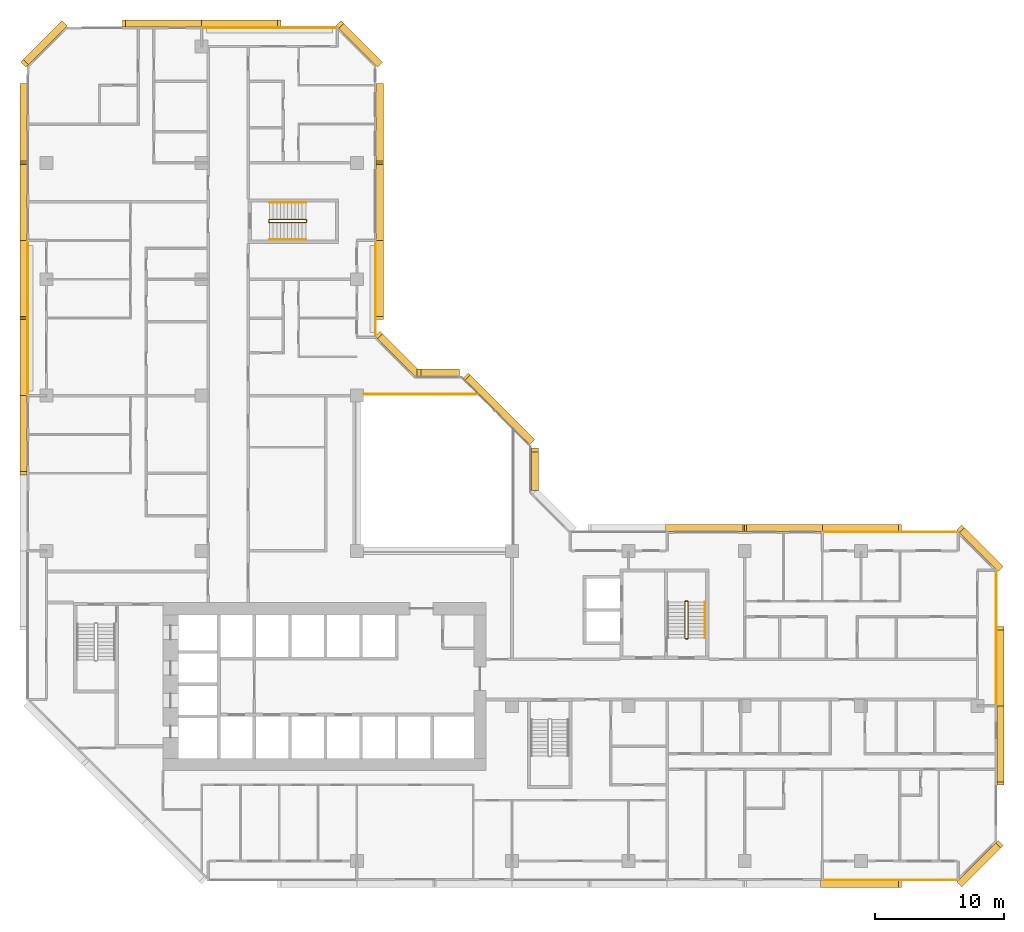
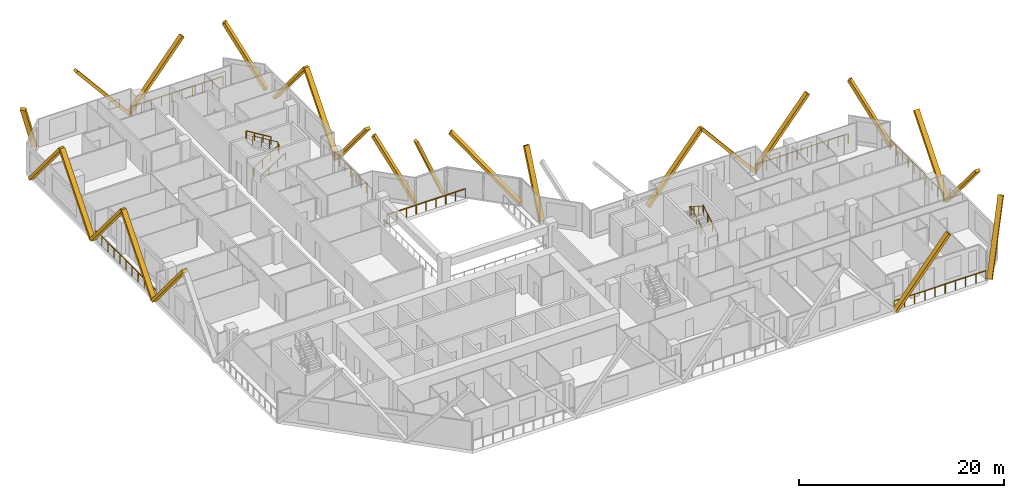
# One storey, part 15 of 15: 24 coverings, 12 railings.
"""IFC4 building model written with IfcOpenShell, lengths in metres."""

from ifc_helpers import new_model, si_unit, direction, frame, origin, origin_2d, place, context, subcontext, project, spatial, rectangle, extrude, material, material_profile, profile_set, type_object, element, save


model = new_model("IFC4")

# Units and contexts
model_context = context("Model", 3, precision=1e-05, world=origin(), true_north=direction((0.0, 1.0)))
body_context = subcontext(model_context, "Body", "Model", "MODEL_VIEW")
ifc_project = project(units=[si_unit("LENGTHUNIT", "METRE"), si_unit("AREAUNIT", "SQUARE_METRE"), si_unit("VOLUMEUNIT", "CUBIC_METRE"), si_unit("PLANEANGLEUNIT", "RADIAN"), si_unit("MASSUNIT", "GRAM", prefix="KILO")], contexts=[model_context])

# Site, building, storey
site_placement = place(None, origin())
site = spatial("IfcSite", under=ifc_project, at=site_placement, CompositionType="ELEMENT")
building_placement = place(site_placement, origin())
building = spatial("IfcBuilding", under=site, at=building_placement, Name="Chenar Terraces", CompositionType="ELEMENT")
storey_placement = place(building_placement, frame((0.0, 0.0, 114.39990234375)))
storey = spatial("IfcBuildingStorey", under=building, at=storey_placement, Name="L26", CompositionType="ELEMENT", Elevation=114.39990234375)

# Railings
ifc_material_1 = material(Name="Powder-coated steel", Category="steel")
railing_type_1 = type_object("IfcRailingType", Name="Guard 1100 steel rail with glass infill", PredefinedType="GUARDRAIL", material=ifc_material_1)
railing_1_placement = place(storey_placement, frame((24.550048828125, 36.10009765625, 0.0)))
element("IfcRailing", 1, at=railing_1_placement, inside=storey, type_object=railing_type_1, Name="Guard L26-2", PredefinedType="GUARDRAIL", context=body_context, shape_type="SweptSolid", body=[
    extrude(rectangle(XDim=0.06005859375, YDim=0.06005859375, at=origin_2d()), frame((0.0, 0.0, 1.070068359375), z_axis=(1.0, 0.0, 0.0), x_axis=(0.0, 1.0, 0.0)), (0.0, 0.0, 1.0), 8.849853515625),
    extrude(rectangle(XDim=0.050048828125, YDim=0.050048828125, at=origin_2d()), origin(), (0.0, 0.0, 1.0), 1.0400390625),
    extrude(rectangle(XDim=0.050048828125, YDim=0.050048828125, at=origin_2d()), frame((1.106201171875, 0.0, 0.0)), (0.0, 0.0, 1.0), 1.0400390625),
    extrude(rectangle(XDim=0.050048828125, YDim=0.050048828125, at=origin_2d()), frame((2.21240234375, 0.0, 0.0)), (0.0, 0.0, 1.0), 1.0400390625),
    extrude(rectangle(XDim=0.050048828125, YDim=0.050048828125, at=origin_2d()), frame((3.318603515625, 0.0, 0.0)), (0.0, 0.0, 1.0), 1.0400390625),
    extrude(rectangle(XDim=0.050048828125, YDim=0.050048828125, at=origin_2d()), frame((4.4248046875, 0.0, 0.0)), (0.0, 0.0, 1.0), 1.0400390625),
    extrude(rectangle(XDim=0.050048828125, YDim=0.050048828125, at=origin_2d()), frame((5.53125, 0.0, 0.0)), (0.0, 0.0, 1.0), 1.0400390625),
    extrude(rectangle(XDim=0.050048828125, YDim=0.050048828125, at=origin_2d()), frame((6.637451171875, 0.0, 0.0)), (0.0, 0.0, 1.0), 1.0400390625),
    extrude(rectangle(XDim=0.050048828125, YDim=0.050048828125, at=origin_2d()), frame((7.74365234375, 0.0, 0.0)), (0.0, 0.0, 1.0), 1.0400390625),
    extrude(rectangle(XDim=0.050048828125, YDim=0.050048828125, at=origin_2d()), frame((8.849853515625, 0.0, 0.0)), (0.0, 0.0, 1.0), 1.0400390625),
])
ifc_material_2 = material(Name="Stainless steel and glass", Category="steel")
railing_type_2 = type_object("IfcRailingType", Name="Loggia guard 1150", PredefinedType="GUARDRAIL", material=ifc_material_2)
railing_2_placement = place(storey_placement, frame((25.449951171875, 40.574951171875, 0.0)))
element("IfcRailing", 2, at=railing_2_placement, inside=storey, type_object=railing_type_2, Name="Loggia guard", PredefinedType="GUARDRAIL", context=body_context, shape_type="SweptSolid", body=[
    extrude(rectangle(XDim=0.048095703125, YDim=0.048095703125, at=origin_2d()), frame((0.0, 0.0, 1.1259765625), z_axis=(0.0, 1.0, 0.0), x_axis=(-1.0, 0.0, 0.0)), (0.0, 0.0, 1.0), 7.35009765625),
    extrude(rectangle(XDim=0.0419921875, YDim=0.0419921875, at=origin_2d()), origin(), (0.0, 0.0, 1.0), 1.101806640625),
    extrude(rectangle(XDim=0.0419921875, YDim=0.0419921875, at=origin_2d()), frame((0.0, 1.050048828125, 0.0)), (0.0, 0.0, 1.0), 1.101806640625),
    extrude(rectangle(XDim=0.0419921875, YDim=0.0419921875, at=origin_2d()), frame((0.0, 2.10009765625, 0.0)), (0.0, 0.0, 1.0), 1.101806640625),
    extrude(rectangle(XDim=0.0419921875, YDim=0.0419921875, at=origin_2d()), frame((0.0, 3.150146484375, 0.0)), (0.0, 0.0, 1.0), 1.101806640625),
    extrude(rectangle(XDim=0.0419921875, YDim=0.0419921875, at=origin_2d()), frame((0.0, 4.199951171875, 0.0)), (0.0, 0.0, 1.0), 1.101806640625),
    extrude(rectangle(XDim=0.0419921875, YDim=0.0419921875, at=origin_2d()), frame((0.0, 5.25, 0.0)), (0.0, 0.0, 1.0), 1.101806640625),
    extrude(rectangle(XDim=0.0419921875, YDim=0.0419921875, at=origin_2d()), frame((0.0, 6.300048828125, 0.0)), (0.0, 0.0, 1.0), 1.101806640625),
    extrude(rectangle(XDim=0.0419921875, YDim=0.0419921875, at=origin_2d()), frame((0.0, 7.35009765625, 0.0)), (0.0, 0.0, 1.0), 1.101806640625),
])
railing_3_placement = place(storey_placement, frame((73.449951171875, 12.074951171875, 0.0)))
element("IfcRailing", 3, at=railing_3_placement, inside=storey, type_object=railing_type_2, Name="Loggia guard", PredefinedType="GUARDRAIL", context=body_context, shape_type="SweptSolid", body=[
    extrude(rectangle(XDim=0.048095703125, YDim=0.048095703125, at=origin_2d()), frame((0.0, 0.0, 1.1259765625), z_axis=(0.0, 1.0, 0.0), x_axis=(-1.0, 0.0, 0.0)), (0.0, 0.0, 1.0), 10.35009765625),
    extrude(rectangle(XDim=0.0419921875, YDim=0.0419921875, at=origin_2d()), origin(), (0.0, 0.0, 1.0), 1.101806640625),
    extrude(rectangle(XDim=0.0419921875, YDim=0.0419921875, at=origin_2d()), frame((0.0, 1.14990234375, 0.0)), (0.0, 0.0, 1.0), 1.101806640625),
    extrude(rectangle(XDim=0.0419921875, YDim=0.0419921875, at=origin_2d()), frame((0.0, 2.300048828125, 0.0)), (0.0, 0.0, 1.0), 1.101806640625),
    extrude(rectangle(XDim=0.0419921875, YDim=0.0419921875, at=origin_2d()), frame((0.0, 3.449951171875, 0.0)), (0.0, 0.0, 1.0), 1.101806640625),
    extrude(rectangle(XDim=0.0419921875, YDim=0.0419921875, at=origin_2d()), frame((0.0, 4.60009765625, 0.0)), (0.0, 0.0, 1.0), 1.101806640625),
    extrude(rectangle(XDim=0.0419921875, YDim=0.0419921875, at=origin_2d()), frame((0.0, 5.75, 0.0)), (0.0, 0.0, 1.0), 1.101806640625),
    extrude(rectangle(XDim=0.0419921875, YDim=0.0419921875, at=origin_2d()), frame((0.0, 6.900146484375, 0.0)), (0.0, 0.0, 1.0), 1.101806640625),
    extrude(rectangle(XDim=0.0419921875, YDim=0.0419921875, at=origin_2d()), frame((0.0, 8.050048828125, 0.0)), (0.0, 0.0, 1.0), 1.101806640625),
    extrude(rectangle(XDim=0.0419921875, YDim=0.0419921875, at=origin_2d()), frame((0.0, 9.2001953125, 0.0)), (0.0, 0.0, 1.0), 1.101806640625),
    extrude(rectangle(XDim=0.0419921875, YDim=0.0419921875, at=origin_2d()), frame((0.0, 10.35009765625, 0.0)), (0.0, 0.0, 1.0), 1.101806640625),
])
for number, where, name in (
    (4, (70.425048828125, 25.449951171875, 0.0), "Loggia guard"),
    (5, (22.425048828125, 64.449951171875, 0.0), "Loggia guard"),
):
    element("IfcRailing", number, at=place(storey_placement, frame(where)), inside=storey, type_object=railing_type_2, Name=name, PredefinedType="GUARDRAIL", context=body_context, shape_type="SweptSolid", body=[
        extrude(rectangle(XDim=0.048095703125, YDim=0.048095703125, at=origin_2d()), frame((0.0, 0.0, 1.1259765625), z_axis=(-1.0, 0.0, 0.0), x_axis=(0.0, -1.0, 0.0)), (0.0, 0.0, 1.0), 10.35009765625),
        extrude(rectangle(XDim=0.0419921875, YDim=0.0419921875, at=origin_2d()), origin(), (0.0, 0.0, 1.0), 1.101806640625),
        extrude(rectangle(XDim=0.0419921875, YDim=0.0419921875, at=origin_2d()), frame((-1.14990234375, 0.0, 0.0)), (0.0, 0.0, 1.0), 1.101806640625),
        extrude(rectangle(XDim=0.0419921875, YDim=0.0419921875, at=origin_2d()), frame((-2.300048828125, 0.0, 0.0)), (0.0, 0.0, 1.0), 1.101806640625),
        extrude(rectangle(XDim=0.0419921875, YDim=0.0419921875, at=origin_2d()), frame((-3.449951171875, 0.0, 0.0)), (0.0, 0.0, 1.0), 1.101806640625),
        extrude(rectangle(XDim=0.0419921875, YDim=0.0419921875, at=origin_2d()), frame((-4.60009765625, 0.0, 0.0)), (0.0, 0.0, 1.0), 1.101806640625),
        extrude(rectangle(XDim=0.0419921875, YDim=0.0419921875, at=origin_2d()), frame((-5.75, 0.0, 0.0)), (0.0, 0.0, 1.0), 1.101806640625),
        extrude(rectangle(XDim=0.0419921875, YDim=0.0419921875, at=origin_2d()), frame((-6.900146484375, 0.0, 0.0)), (0.0, 0.0, 1.0), 1.101806640625),
        extrude(rectangle(XDim=0.0419921875, YDim=0.0419921875, at=origin_2d()), frame((-8.050048828125, 0.0, 0.0)), (0.0, 0.0, 1.0), 1.101806640625),
        extrude(rectangle(XDim=0.0419921875, YDim=0.0419921875, at=origin_2d()), frame((-9.2001953125, 0.0, 0.0)), (0.0, 0.0, 1.0), 1.101806640625),
        extrude(rectangle(XDim=0.0419921875, YDim=0.0419921875, at=origin_2d()), frame((-10.35009765625, 0.0, 0.0)), (0.0, 0.0, 1.0), 1.101806640625),
    ])
railing_4_placement = place(storey_placement, frame((60.074951171875, -1.449951171875, 0.0)))
element("IfcRailing", 6, at=railing_4_placement, inside=storey, type_object=railing_type_2, Name="Loggia guard", PredefinedType="GUARDRAIL", context=body_context, shape_type="SweptSolid", body=[
    extrude(rectangle(XDim=0.048095703125, YDim=0.048095703125, at=origin_2d()), frame((0.0, 0.0, 1.1259765625), z_axis=(1.0, 0.0, 0.0), x_axis=(0.0, 1.0, 0.0)), (0.0, 0.0, 1.0), 10.35009765625),
    extrude(rectangle(XDim=0.0419921875, YDim=0.0419921875, at=origin_2d()), origin(), (0.0, 0.0, 1.0), 1.101806640625),
    extrude(rectangle(XDim=0.0419921875, YDim=0.0419921875, at=origin_2d()), frame((1.14990234375, 0.0, 0.0)), (0.0, 0.0, 1.0), 1.101806640625),
    extrude(rectangle(XDim=0.0419921875, YDim=0.0419921875, at=origin_2d()), frame((2.300048828125, 0.0, 0.0)), (0.0, 0.0, 1.0), 1.101806640625),
    extrude(rectangle(XDim=0.0419921875, YDim=0.0419921875, at=origin_2d()), frame((3.449951171875, 0.0, 0.0)), (0.0, 0.0, 1.0), 1.101806640625),
    extrude(rectangle(XDim=0.0419921875, YDim=0.0419921875, at=origin_2d()), frame((4.60009765625, 0.0, 0.0)), (0.0, 0.0, 1.0), 1.101806640625),
    extrude(rectangle(XDim=0.0419921875, YDim=0.0419921875, at=origin_2d()), frame((5.75, 0.0, 0.0)), (0.0, 0.0, 1.0), 1.101806640625),
    extrude(rectangle(XDim=0.0419921875, YDim=0.0419921875, at=origin_2d()), frame((6.900146484375, 0.0, 0.0)), (0.0, 0.0, 1.0), 1.101806640625),
    extrude(rectangle(XDim=0.0419921875, YDim=0.0419921875, at=origin_2d()), frame((8.050048828125, 0.0, 0.0)), (0.0, 0.0, 1.0), 1.101806640625),
    extrude(rectangle(XDim=0.0419921875, YDim=0.0419921875, at=origin_2d()), frame((9.2001953125, 0.0, 0.0)), (0.0, 0.0, 1.0), 1.101806640625),
    extrude(rectangle(XDim=0.0419921875, YDim=0.0419921875, at=origin_2d()), frame((10.35009765625, 0.0, 0.0)), (0.0, 0.0, 1.0), 1.101806640625),
])
railing_5_placement = place(storey_placement, frame((-1.449951171875, 47.925048828125, 0.0)))
element("IfcRailing", 7, at=railing_5_placement, inside=storey, type_object=railing_type_2, Name="Loggia guard", PredefinedType="GUARDRAIL", context=body_context, shape_type="SweptSolid", body=[
    extrude(rectangle(XDim=0.048095703125, YDim=0.048095703125, at=origin_2d()), frame((0.0, 0.0, 1.1259765625), z_axis=(0.0, -1.0, 0.0), x_axis=(1.0, 0.0, 0.0)), (0.0, 0.0, 1.0), 11.85009765625),
    extrude(rectangle(XDim=0.0419921875, YDim=0.0419921875, at=origin_2d()), origin(), (0.0, 0.0, 1.0), 1.101806640625),
    extrude(rectangle(XDim=0.0419921875, YDim=0.0419921875, at=origin_2d()), frame((0.0, -1.18505859375, 0.0)), (0.0, 0.0, 1.0), 1.101806640625),
    extrude(rectangle(XDim=0.0419921875, YDim=0.0419921875, at=origin_2d()), frame((0.0, -2.3701171875, 0.0)), (0.0, 0.0, 1.0), 1.101806640625),
    extrude(rectangle(XDim=0.0419921875, YDim=0.0419921875, at=origin_2d()), frame((0.0, -3.554931640625, 0.0)), (0.0, 0.0, 1.0), 1.101806640625),
    extrude(rectangle(XDim=0.0419921875, YDim=0.0419921875, at=origin_2d()), frame((0.0, -4.739990234375, 0.0)), (0.0, 0.0, 1.0), 1.101806640625),
    extrude(rectangle(XDim=0.0419921875, YDim=0.0419921875, at=origin_2d()), frame((0.0, -5.925048828125, 0.0)), (0.0, 0.0, 1.0), 1.101806640625),
    extrude(rectangle(XDim=0.0419921875, YDim=0.0419921875, at=origin_2d()), frame((0.0, -7.110107421875, 0.0)), (0.0, 0.0, 1.0), 1.101806640625),
    extrude(rectangle(XDim=0.0419921875, YDim=0.0419921875, at=origin_2d()), frame((0.0, -8.295166015625, 0.0)), (0.0, 0.0, 1.0), 1.101806640625),
    extrude(rectangle(XDim=0.0419921875, YDim=0.0419921875, at=origin_2d()), frame((0.0, -9.47998046875, 0.0)), (0.0, 0.0, 1.0), 1.101806640625),
    extrude(rectangle(XDim=0.0419921875, YDim=0.0419921875, at=origin_2d()), frame((0.0, -10.6650390625, 0.0)), (0.0, 0.0, 1.0), 1.101806640625),
    extrude(rectangle(XDim=0.0419921875, YDim=0.0419921875, at=origin_2d()), frame((0.0, -11.85009765625, 0.0)), (0.0, 0.0, 1.0), 1.101806640625),
])
ifc_material_3 = material(Name="Powder-coated steel", Category="steel")
railing_type_3 = type_object("IfcRailingType", Name="Stair guard 1100", PredefinedType="GUARDRAIL", material=ifc_material_3)
railing_6_placement = place(storey_placement, frame((49.375, 17.25, 3.75)))
element("IfcRailing", 8, at=railing_6_placement, inside=storey, type_object=railing_type_3, Name="L26 ST3 stair guard 1", PredefinedType="GUARDRAIL", context=body_context, shape_type="SweptSolid", body=[
    extrude(rectangle(XDim=0.048095703125, YDim=0.048095703125, at=origin_2d()), frame((0.0, 0.0, 1.076171875), z_axis=(0.0, 0.854202870247, -0.519939858505), x_axis=(-1.0, 0.0, 0.0)), (0.0, 0.0, 1.0), 3.278076171875),
    extrude(rectangle(XDim=0.048095703125, YDim=0.048095703125, at=origin_2d()), frame((0.0, 2.800048828125, -0.62841796875), z_axis=(0.270899902878, 0.270899902878, -0.923702595667), x_axis=(-0.707106781187, 0.707106781187, 0.0)), (0.0, 0.0, 1.0), 0.184814453125),
    extrude(rectangle(XDim=0.048095703125, YDim=0.048095703125, at=origin_2d()), frame((0.050048828125, 2.85009765625, -0.798828125), z_axis=(1.0, 0.0, 0.0), x_axis=(0.0, 1.0, 0.0)), (0.0, 0.0, 1.0), 0.14990234375),
    extrude(rectangle(XDim=0.048095703125, YDim=0.048095703125, at=origin_2d()), frame((0.199951171875, 2.85009765625, -0.798828125), z_axis=(0.707106781187, -0.707106781187, 0.0), x_axis=(0.707106781187, 0.707106781187, 0.0)), (0.0, 0.0, 1.0), 0.07080078125),
    extrude(rectangle(XDim=0.048095703125, YDim=0.048095703125, at=origin_2d()), frame((0.25, 2.800048828125, -0.798828125), z_axis=(0.0, -0.854202870247, -0.519939858505), x_axis=(1.0, 0.0, 0.0)), (0.0, 0.0, 1.0), 3.278076171875),
    extrude(rectangle(XDim=0.048095703125, YDim=0.048095703125, at=origin_2d()), frame((0.25, 0.0, -2.50341796875), z_axis=(-0.270899902878, -0.270899902878, -0.923702595667), x_axis=(0.707106781187, -0.707106781187, 0.0)), (0.0, 0.0, 1.0), 0.184814453125),
    extrude(rectangle(XDim=0.048095703125, YDim=0.048095703125, at=origin_2d()), frame((0.199951171875, -0.050048828125, -2.673828125), z_axis=(-1.0, 0.0, 0.0), x_axis=(0.0, -1.0, 0.0)), (0.0, 0.0, 1.0), 0.14990234375),
    extrude(rectangle(XDim=0.0419921875, YDim=0.0419921875, at=origin_2d()), origin(), (0.0, 0.0, 1.0), 1.052001953125),
    extrude(rectangle(XDim=0.0419921875, YDim=0.0419921875, at=origin_2d()), frame((0.0, 0.933349609375, -0.568115234375)), (0.0, 0.0, 1.0), 1.052001953125),
    extrude(rectangle(XDim=0.0419921875, YDim=0.0419921875, at=origin_2d()), frame((0.0, 1.86669921875, -1.13623046875)), (0.0, 0.0, 1.0), 1.052001953125),
    extrude(rectangle(XDim=0.0419921875, YDim=0.0419921875, at=origin_2d()), frame((0.0, 2.800048828125, -1.704345703125)), (0.0, 0.0, 1.0), 1.052001953125),
    extrude(rectangle(XDim=0.0419921875, YDim=0.0419921875, at=origin_2d()), frame((0.050048828125, 2.85009765625, -1.875)), (0.0, 0.0, 1.0), 1.052001953125),
    extrude(rectangle(XDim=0.0419921875, YDim=0.0419921875, at=origin_2d()), frame((0.199951171875, 2.85009765625, -1.875)), (0.0, 0.0, 1.0), 1.052001953125),
    extrude(rectangle(XDim=0.0419921875, YDim=0.0419921875, at=origin_2d()), frame((0.25, 2.800048828125, -1.875)), (0.0, 0.0, 1.0), 1.052001953125),
    extrude(rectangle(XDim=0.0419921875, YDim=0.0419921875, at=origin_2d()), frame((0.25, 1.86669921875, -2.443115234375)), (0.0, 0.0, 1.0), 1.052001953125),
    extrude(rectangle(XDim=0.0419921875, YDim=0.0419921875, at=origin_2d()), frame((0.25, 0.933349609375, -3.01123046875)), (0.0, 0.0, 1.0), 1.052001953125),
    extrude(rectangle(XDim=0.0419921875, YDim=0.0419921875, at=origin_2d()), frame((0.25, 0.0, -3.579345703125)), (0.0, 0.0, 1.0), 1.052001953125),
    extrude(rectangle(XDim=0.0419921875, YDim=0.0419921875, at=origin_2d()), frame((0.199951171875, -0.050048828125, -3.75)), (0.0, 0.0, 1.0), 1.052001953125),
    extrude(rectangle(XDim=0.0419921875, YDim=0.0419921875, at=origin_2d()), frame((0.050048828125, -0.050048828125, -3.75)), (0.0, 0.0, 1.0), 1.052001953125),
])
railing_7_placement = place(storey_placement, frame((17.25, 49.625, 3.75)))
element("IfcRailing", 9, at=railing_7_placement, inside=storey, type_object=railing_type_3, Name="L26 ST4 stair guard 1", PredefinedType="GUARDRAIL", context=body_context, shape_type="SweptSolid", body=[
    extrude(rectangle(XDim=0.048095703125, YDim=0.048095703125, at=origin_2d()), frame((0.0, 0.0, 1.076171875), z_axis=(0.854202870247, 0.0, -0.519939858505), x_axis=(0.0, 1.0, 0.0)), (0.0, 0.0, 1.0), 3.278076171875),
    extrude(rectangle(XDim=0.048095703125, YDim=0.048095703125, at=origin_2d()), frame((2.800048828125, 0.0, -0.62841796875), z_axis=(0.270899902878, -0.270899902878, -0.923702595667), x_axis=(0.707106781187, 0.707106781187, 0.0)), (0.0, 0.0, 1.0), 0.184814453125),
    extrude(rectangle(XDim=0.048095703125, YDim=0.048095703125, at=origin_2d()), frame((2.85009765625, -0.050048828125, -0.798828125), z_axis=(0.0, -1.0, 0.0), x_axis=(1.0, 0.0, 0.0)), (0.0, 0.0, 1.0), 0.14990234375),
    extrude(rectangle(XDim=0.048095703125, YDim=0.048095703125, at=origin_2d()), frame((2.85009765625, -0.199951171875, -0.798828125), z_axis=(-0.707106781187, -0.707106781187, 0.0), x_axis=(0.707106781187, -0.707106781187, 0.0)), (0.0, 0.0, 1.0), 0.07080078125),
    extrude(rectangle(XDim=0.048095703125, YDim=0.048095703125, at=origin_2d()), frame((2.800048828125, -0.25, -0.798828125), z_axis=(-0.854202870247, 0.0, -0.519939858505), x_axis=(0.0, -1.0, 0.0)), (0.0, 0.0, 1.0), 3.278076171875),
    extrude(rectangle(XDim=0.048095703125, YDim=0.048095703125, at=origin_2d()), frame((0.0, -0.25, -2.50341796875), z_axis=(-0.270899902878, 0.270899902878, -0.923702595667), x_axis=(-0.707106781187, -0.707106781187, 0.0)), (0.0, 0.0, 1.0), 0.184814453125),
    extrude(rectangle(XDim=0.048095703125, YDim=0.048095703125, at=origin_2d()), frame((-0.050048828125, -0.199951171875, -2.673828125), z_axis=(0.0, 1.0, 0.0), x_axis=(-1.0, 0.0, 0.0)), (0.0, 0.0, 1.0), 0.14990234375),
    extrude(rectangle(XDim=0.0419921875, YDim=0.0419921875, at=origin_2d()), origin(), (0.0, 0.0, 1.0), 1.052001953125),
    extrude(rectangle(XDim=0.0419921875, YDim=0.0419921875, at=origin_2d()), frame((0.933349609375, 0.0, -0.568115234375)), (0.0, 0.0, 1.0), 1.052001953125),
    extrude(rectangle(XDim=0.0419921875, YDim=0.0419921875, at=origin_2d()), frame((1.86669921875, 0.0, -1.13623046875)), (0.0, 0.0, 1.0), 1.052001953125),
    extrude(rectangle(XDim=0.0419921875, YDim=0.0419921875, at=origin_2d()), frame((2.800048828125, 0.0, -1.704345703125)), (0.0, 0.0, 1.0), 1.052001953125),
    extrude(rectangle(XDim=0.0419921875, YDim=0.0419921875, at=origin_2d()), frame((2.85009765625, -0.050048828125, -1.875)), (0.0, 0.0, 1.0), 1.052001953125),
    extrude(rectangle(XDim=0.0419921875, YDim=0.0419921875, at=origin_2d()), frame((2.85009765625, -0.199951171875, -1.875)), (0.0, 0.0, 1.0), 1.052001953125),
    extrude(rectangle(XDim=0.0419921875, YDim=0.0419921875, at=origin_2d()), frame((2.800048828125, -0.25, -1.875)), (0.0, 0.0, 1.0), 1.052001953125),
    extrude(rectangle(XDim=0.0419921875, YDim=0.0419921875, at=origin_2d()), frame((1.86669921875, -0.25, -2.443115234375)), (0.0, 0.0, 1.0), 1.052001953125),
    extrude(rectangle(XDim=0.0419921875, YDim=0.0419921875, at=origin_2d()), frame((0.933349609375, -0.25, -3.01123046875)), (0.0, 0.0, 1.0), 1.052001953125),
    extrude(rectangle(XDim=0.0419921875, YDim=0.0419921875, at=origin_2d()), frame((0.0, -0.25, -3.579345703125)), (0.0, 0.0, 1.0), 1.052001953125),
    extrude(rectangle(XDim=0.0419921875, YDim=0.0419921875, at=origin_2d()), frame((-0.050048828125, -0.199951171875, -3.75)), (0.0, 0.0, 1.0), 1.052001953125),
    extrude(rectangle(XDim=0.0419921875, YDim=0.0419921875, at=origin_2d()), frame((-0.050048828125, -0.050048828125, -3.75)), (0.0, 0.0, 1.0), 1.052001953125),
])
ifc_material_4 = material(Name="Powder-coated steel", Category="steel")
railing_type_4 = type_object("IfcRailingType", Name="Stair handrail 900", PredefinedType="HANDRAIL", material=ifc_material_4)
railing_8_placement = place(storey_placement, frame((50.925048828125, 17.25, 0.170654296875)))
element("IfcRailing", 10, at=railing_8_placement, inside=storey, type_object=railing_type_4, Name="L26 ST3 stair handrail 1", PredefinedType="HANDRAIL", context=body_context, shape_type="SweptSolid", body=[
    extrude(rectangle(XDim=0.048095703125, YDim=0.048095703125, at=origin_2d()), frame((0.0, 0.0, 0.8759765625), z_axis=(0.0, 0.854202870247, 0.519939858505), x_axis=(-1.0, 0.0, 0.0)), (0.0, 0.0, 1.0), 3.278076171875),
    extrude(rectangle(XDim=0.0419921875, YDim=0.0419921875, at=origin_2d()), origin(), (0.0, 0.0, 1.0), 0.851806640625),
    extrude(rectangle(XDim=0.0419921875, YDim=0.0419921875, at=origin_2d()), frame((0.0, 0.933349609375, 0.568115234375)), (0.0, 0.0, 1.0), 0.851806640625),
    extrude(rectangle(XDim=0.0419921875, YDim=0.0419921875, at=origin_2d()), frame((0.0, 1.86669921875, 1.13623046875)), (0.0, 0.0, 1.0), 0.851806640625),
    extrude(rectangle(XDim=0.0419921875, YDim=0.0419921875, at=origin_2d()), frame((0.0, 2.800048828125, 1.704345703125)), (0.0, 0.0, 1.0), 0.851806640625),
])
railing_9_placement = place(storey_placement, frame((17.25, 48.074951171875, 0.170654296875)))
element("IfcRailing", 11, at=railing_9_placement, inside=storey, type_object=railing_type_4, Name="L26 ST4 stair handrail 1", PredefinedType="HANDRAIL", context=body_context, shape_type="SweptSolid", body=[
    extrude(rectangle(XDim=0.048095703125, YDim=0.048095703125, at=origin_2d()), frame((0.0, 0.0, 0.8759765625), z_axis=(0.854202870247, 0.0, 0.519939858505), x_axis=(0.0, 1.0, 0.0)), (0.0, 0.0, 1.0), 3.278076171875),
    extrude(rectangle(XDim=0.0419921875, YDim=0.0419921875, at=origin_2d()), origin(), (0.0, 0.0, 1.0), 0.851806640625),
    extrude(rectangle(XDim=0.0419921875, YDim=0.0419921875, at=origin_2d()), frame((0.933349609375, 0.0, 0.568115234375)), (0.0, 0.0, 1.0), 0.851806640625),
    extrude(rectangle(XDim=0.0419921875, YDim=0.0419921875, at=origin_2d()), frame((1.86669921875, 0.0, 1.13623046875)), (0.0, 0.0, 1.0), 0.851806640625),
    extrude(rectangle(XDim=0.0419921875, YDim=0.0419921875, at=origin_2d()), frame((2.800048828125, 0.0, 1.704345703125)), (0.0, 0.0, 1.0), 0.851806640625),
])
railing_10_placement = place(storey_placement, frame((20.050048828125, 50.925048828125, 2.045654296875)))
element("IfcRailing", 12, at=railing_10_placement, inside=storey, type_object=railing_type_4, Name="L26 ST4 stair handrail 2", PredefinedType="HANDRAIL", context=body_context, shape_type="SweptSolid", body=[
    extrude(rectangle(XDim=0.048095703125, YDim=0.048095703125, at=origin_2d()), frame((0.0, 0.0, 0.8759765625), z_axis=(-0.854202870247, 0.0, 0.519939858505), x_axis=(0.0, -1.0, 0.0)), (0.0, 0.0, 1.0), 3.278076171875),
    extrude(rectangle(XDim=0.0419921875, YDim=0.0419921875, at=origin_2d()), origin(), (0.0, 0.0, 1.0), 0.851806640625),
    extrude(rectangle(XDim=0.0419921875, YDim=0.0419921875, at=origin_2d()), frame((-0.933349609375, 0.0, 0.568115234375)), (0.0, 0.0, 1.0), 0.851806640625),
    extrude(rectangle(XDim=0.0419921875, YDim=0.0419921875, at=origin_2d()), frame((-1.86669921875, 0.0, 1.13623046875)), (0.0, 0.0, 1.0), 0.851806640625),
    extrude(rectangle(XDim=0.0419921875, YDim=0.0419921875, at=origin_2d()), frame((-2.800048828125, 0.0, 1.704345703125)), (0.0, 0.0, 1.0), 0.851806640625),
])

# Coverings
ifc_material_5 = material(Name="Terracotta", Category="masonry")
ifc_material_profile = material_profile(ifc_material_5, rectangle(XDim=0.550048828125, YDim=0.330078125, at=origin_2d()), Name="Terracotta baguette 550 x 330")
ifc_profile_set = profile_set([ifc_material_profile], Name="Terracotta")
covering_type = type_object("IfcCoveringType", Name="Terracotta baguette 550 x 330", PredefinedType="CLADDING", material=ifc_profile_set)
for number, where, z_axis, x_axis, name in (
    (13, (66.0, 25.77490234375, 7.35009765625), (-0.640186961885, 0.0, -0.768219144407), (0.0, -1.0, 0.0), "Terracotta baguette"),
    (14, (60.0, 25.77490234375, 0.150146484375), (-0.640186961885, 0.0, 0.768219144407), (0.0, -1.0, 0.0), "Terracotta baguette"),
    (15, (54.0, 25.77490234375, 7.35009765625), (-0.640186961885, 0.0, -0.768219144407), (0.0, -1.0, 0.0), "Terracotta baguette"),
):
    element("IfcCovering", number, at=place(storey_placement, frame(where, z_axis=z_axis, x_axis=x_axis)), inside=storey, type_object=covering_type, Name=name, PredefinedType="CLADDING", context=body_context, shape_type="SweptSolid", body=[
        extrude(rectangle(XDim=0.550048828125, YDim=0.330078125, at=origin_2d()), origin(), (0.0, 0.0, 1.0), 9.372314453125),
    ])
covering_1_placement = place(storey_placement, frame((37.77490234375, 28.800048828125, 0.150146484375), z_axis=(0.0, 0.384617607118, 0.923075997031), x_axis=(-1.0, 0.0, 0.0)))
element("IfcCovering", 16, at=covering_1_placement, inside=storey, type_object=covering_type, Name="Terracotta baguette", PredefinedType="CLADDING", context=body_context, shape_type="SweptSolid", body=[
    extrude(rectangle(XDim=0.550048828125, YDim=0.330078125, at=origin_2d()), origin(), (0.0, 0.0, 1.0), 7.800048828125),
])
covering_2_placement = place(storey_placement, frame((37.482421875, 32.506591796875, 0.150146484375), z_axis=(-0.494240720479, 0.494240720479, 0.715158877761), x_axis=(-0.707106781187, -0.707106781187, 0.0)))
element("IfcCovering", 17, at=covering_2_placement, inside=storey, type_object=covering_type, Name="Terracotta baguette", PredefinedType="CLADDING", context=body_context, shape_type="SweptSolid", body=[
    extrude(rectangle(XDim=0.550048828125, YDim=0.330078125, at=origin_2d()), origin(), (0.0, 0.0, 1.0), 10.067626953125),
])
covering_3_placement = place(storey_placement, frame((31.800048828125, 37.77490234375, 0.150146484375), z_axis=(-0.384617607118, 0.0, 0.923075997031), x_axis=(0.0, -1.0, 0.0)))
element("IfcCovering", 18, at=covering_3_placement, inside=storey, type_object=covering_type, Name="Terracotta baguette", PredefinedType="CLADDING", context=body_context, shape_type="SweptSolid", body=[
    extrude(rectangle(XDim=0.550048828125, YDim=0.330078125, at=origin_2d()), origin(), (0.0, 0.0, 1.0), 7.800048828125),
])
covering_4_placement = place(storey_placement, frame((28.6943359375, 37.6943359375, 0.150146484375), z_axis=(-0.358955436736, 0.358984650982, 0.861557319507), x_axis=(-0.70713555402, -0.707078007182, 0.0)))
element("IfcCovering", 19, at=covering_4_placement, inside=storey, type_object=covering_type, Name="Terracotta baguette", PredefinedType="CLADDING", context=body_context, shape_type="SweptSolid", body=[
    extrude(rectangle(XDim=0.550048828125, YDim=0.330078125, at=origin_2d()), origin(), (0.0, 0.0, 1.0), 8.35693359375),
])
for number, where, z_axis, x_axis, name in (
    (20, (25.77490234375, 42.0, 7.35009765625), (0.0, 0.640186961885, -0.768219144407), (-1.0, 0.0, 0.0), "Terracotta baguette"),
    (21, (25.77490234375, 48.0, 0.150146484375), (0.0, 0.640186961885, 0.768219144407), (-1.0, 0.0, 0.0), "Terracotta baguette"),
    (22, (25.77490234375, 54.0, 7.35009765625), (0.0, 0.640186961885, -0.768219144407), (-1.0, 0.0, 0.0), "Terracotta baguette"),
):
    element("IfcCovering", number, at=place(storey_placement, frame(where, z_axis=z_axis, x_axis=x_axis)), inside=storey, type_object=covering_type, Name=name, PredefinedType="CLADDING", context=body_context, shape_type="SweptSolid", body=[
        extrude(rectangle(XDim=0.550048828125, YDim=0.330078125, at=origin_2d()), origin(), (0.0, 0.0, 1.0), 9.372314453125),
    ])
covering_5_placement = place(storey_placement, frame((25.6943359375, 61.6943359375, 0.150146484375), z_axis=(-0.358955436736, 0.358984650982, 0.861557319507), x_axis=(-0.70713555402, -0.707078007182, 0.0)))
element("IfcCovering", 23, at=covering_5_placement, inside=storey, type_object=covering_type, Name="Terracotta baguette", PredefinedType="CLADDING", context=body_context, shape_type="SweptSolid", body=[
    extrude(rectangle(XDim=0.550048828125, YDim=0.330078125, at=origin_2d()), origin(), (0.0, 0.0, 1.0), 8.35693359375),
])
for number, where, z_axis, x_axis, name in (
    (24, (18.0, 64.77490234375, 7.35009765625), (-0.640186961885, 0.0, -0.768219144407), (0.0, -1.0, 0.0), "Terracotta baguette"),
    (25, (12.0, 64.77490234375, 0.150146484375), (-0.640186961885, 0.0, 0.768219144407), (0.0, -1.0, 0.0), "Terracotta baguette"),
):
    element("IfcCovering", number, at=place(storey_placement, frame(where, z_axis=z_axis, x_axis=x_axis)), inside=storey, type_object=covering_type, Name=name, PredefinedType="CLADDING", context=body_context, shape_type="SweptSolid", body=[
        extrude(rectangle(XDim=0.550048828125, YDim=0.330078125, at=origin_2d()), origin(), (0.0, 0.0, 1.0), 9.372314453125),
    ])
covering_6_placement = place(storey_placement, frame((1.3056640625, 64.6943359375, 0.150146484375), z_axis=(-0.358984650982, -0.358955436736, 0.861557319507), x_axis=(0.707078007182, -0.70713555402, 0.0)))
element("IfcCovering", 26, at=covering_6_placement, inside=storey, type_object=covering_type, Name="Terracotta baguette", PredefinedType="CLADDING", context=body_context, shape_type="SweptSolid", body=[
    extrude(rectangle(XDim=0.550048828125, YDim=0.330078125, at=origin_2d()), origin(), (0.0, 0.0, 1.0), 8.35693359375),
])
for number, where, z_axis, x_axis, name in (
    (27, (-1.77490234375, 60.0, 0.150146484375), (0.0, -0.640186961885, 0.768219144407), (1.0, 0.0, 0.0), "Terracotta baguette"),
    (28, (-1.77490234375, 54.0, 7.35009765625), (0.0, -0.640186961885, -0.768219144407), (1.0, 0.0, 0.0), "Terracotta baguette"),
    (29, (-1.77490234375, 48.0, 0.150146484375), (0.0, -0.640186961885, 0.768219144407), (1.0, 0.0, 0.0), "Terracotta baguette"),
    (30, (-1.77490234375, 42.0, 7.35009765625), (0.0, -0.640186961885, -0.768219144407), (1.0, 0.0, 0.0), "Terracotta baguette"),
    (31, (-1.77490234375, 36.0, 0.150146484375), (0.0, -0.640186961885, 0.768219144407), (1.0, 0.0, 0.0), "Terracotta baguette"),
    (32, (60.0, -1.77490234375, 0.150146484375), (0.640186961885, 0.0, 0.768219144407), (0.0, 1.0, 0.0), "Terracotta baguette"),
):
    element("IfcCovering", number, at=place(storey_placement, frame(where, z_axis=z_axis, x_axis=x_axis)), inside=storey, type_object=covering_type, Name=name, PredefinedType="CLADDING", context=body_context, shape_type="SweptSolid", body=[
        extrude(rectangle(XDim=0.550048828125, YDim=0.330078125, at=origin_2d()), origin(), (0.0, 0.0, 1.0), 9.372314453125),
    ])
covering_7_placement = place(storey_placement, frame((70.6943359375, -1.6943359375, 0.150146484375), z_axis=(0.358984650982, 0.358955436736, 0.861557319507), x_axis=(-0.707078007182, 0.70713555402, 0.0)))
element("IfcCovering", 33, at=covering_7_placement, inside=storey, type_object=covering_type, Name="Terracotta baguette", PredefinedType="CLADDING", context=body_context, shape_type="SweptSolid", body=[
    extrude(rectangle(XDim=0.550048828125, YDim=0.330078125, at=origin_2d()), origin(), (0.0, 0.0, 1.0), 8.35693359375),
])
for number, where, z_axis, x_axis, name in (
    (34, (73.77490234375, 6.0, 7.35009765625), (0.0, 0.640186961885, -0.768219144407), (-1.0, 0.0, 0.0), "Terracotta baguette"),
    (35, (73.77490234375, 12.0, 0.150146484375), (0.0, 0.640186961885, 0.768219144407), (-1.0, 0.0, 0.0), "Terracotta baguette"),
):
    element("IfcCovering", number, at=place(storey_placement, frame(where, z_axis=z_axis, x_axis=x_axis)), inside=storey, type_object=covering_type, Name=name, PredefinedType="CLADDING", context=body_context, shape_type="SweptSolid", body=[
        extrude(rectangle(XDim=0.550048828125, YDim=0.330078125, at=origin_2d()), origin(), (0.0, 0.0, 1.0), 9.372314453125),
    ])
covering_8_placement = place(storey_placement, frame((73.6943359375, 22.6943359375, 0.150146484375), z_axis=(-0.358955436736, 0.358984650982, 0.861557319507), x_axis=(-0.70713555402, -0.707078007182, 0.0)))
element("IfcCovering", 36, at=covering_8_placement, inside=storey, type_object=covering_type, Name="Terracotta baguette", PredefinedType="CLADDING", context=body_context, shape_type="SweptSolid", body=[
    extrude(rectangle(XDim=0.550048828125, YDim=0.330078125, at=origin_2d()), origin(), (0.0, 0.0, 1.0), 8.35693359375),
])

save(model, "model.ifc")
